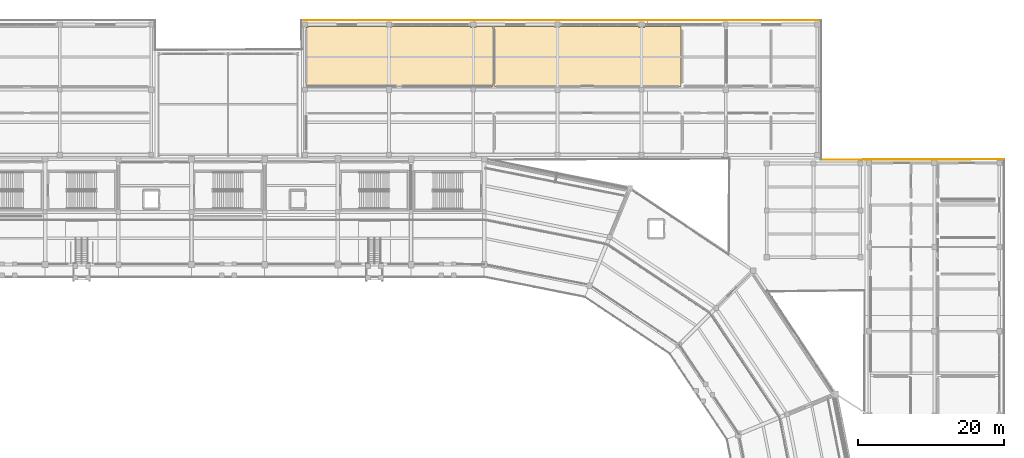
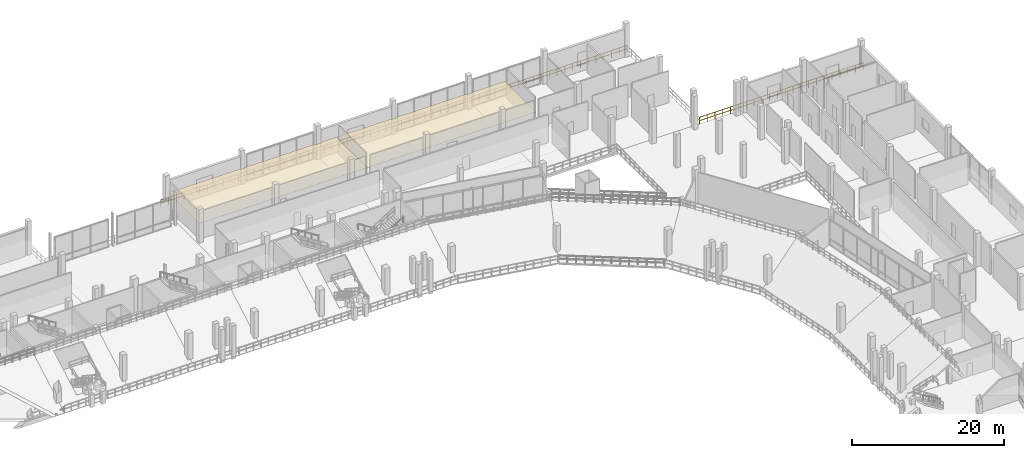
# One storey, part 127 of 127: 2 coverings, 2 railings.
"""IFC4 building model written with IfcOpenShell, lengths in metres."""

from ifc_helpers import new_model, si_unit, direction, frame, origin, origin_2d, place, context, subcontext, project, spatial, polyline, circle, outline, extrude, material, layer, layer_set, type_object, element, save


model = new_model("IFC4")

# Units and contexts
model_context = context("Model", 3, precision=1e-05, world=origin(), true_north=direction((0.0, 1.0)))
body_context = subcontext(model_context, "Body", "Model", "MODEL_VIEW")
ifc_project = project(units=[si_unit("LENGTHUNIT", "METRE"), si_unit("AREAUNIT", "SQUARE_METRE"), si_unit("VOLUMEUNIT", "CUBIC_METRE"), si_unit("PLANEANGLEUNIT", "RADIAN"), si_unit("MASSUNIT", "GRAM", prefix="KILO")], contexts=[model_context])

# Site, building, storey
site_placement = place(None, origin())
site = spatial("IfcSite", under=ifc_project, at=site_placement, CompositionType="ELEMENT")
building_placement = place(site_placement, origin())
building = spatial("IfcBuilding", under=site, at=building_placement, Name="Candeia Ridge Stadium", CompositionType="ELEMENT")
storey_placement = place(building_placement, frame((0.0, 0.0, 10.800048828125)))
storey = spatial("IfcBuildingStorey", under=building, at=storey_placement, Name="L02", CompositionType="ELEMENT", Elevation=10.800048828125)

# Coverings
ifc_material_1 = material(Name="Western Red Cedar Acoustic Slat", Category="wood")
ifc_layer_1 = layer(ifc_material_1, 0.044921875, Name="Western Red Cedar Acoustic Slat", Category="wood")
ifc_layer_set_1 = layer_set([ifc_layer_1], Name="Western Red Cedar Acoustic Slat")
covering_type = type_object("IfcCoveringType", Name="Slatted Cedar Acoustic Ceiling 45", PredefinedType="CEILING", material=ifc_layer_set_1)
covering_1_placement = place(storey_placement, frame((0.0, 0.0, 2.510009765625)))
element("IfcCovering", 1, at=covering_1_placement, inside=storey, type_object=covering_type, Name="Acoustic ceiling North Corporate Suite N01", PredefinedType="CEILING", context=body_context, shape_type="SweptSolid", body=[
    extrude(outline(polyline([(116.694091796875, 156.970703125), (116.69140625, 156.97119140625), (116.6884765625, 156.972412109375), (116.685791015625, 156.973388671875), (116.683349609375, 156.97509765625), (116.680908203125, 156.976806640625), (116.6787109375, 156.978759765625), (116.6767578125, 156.98095703125), (116.675048828125, 156.9833984375), (116.673583984375, 156.98583984375), (116.67236328125, 156.988525390625), (116.67138671875, 156.9912109375), (116.670654296875, 156.994140625), (116.670166015625, 156.9970703125), (116.669921875, 157.0), (116.669921875, 165.010009765625), (116.889892578125, 165.010009765625), (116.889892578125, 165.1298828125), (127.635009765625, 165.1298828125), (127.635009765625, 165.034912109375), (128.364990234375, 165.034912109375), (128.364990234375, 165.1298828125), (139.110107421875, 165.1298828125), (139.110107421875, 165.010009765625), (139.889892578125, 165.010009765625), (139.889892578125, 165.1298828125), (142.178955078125, 165.1298828125), (142.181884765625, 165.1298828125), (142.184814453125, 165.12939453125), (142.187744140625, 165.128662109375), (142.1904296875, 165.127685546875), (142.193115234375, 165.12646484375), (142.19580078125, 165.125), (142.197998046875, 165.123291015625), (142.2001953125, 165.12109375), (142.2021484375, 165.118896484375), (142.203857421875, 165.11669921875), (142.20556640625, 165.114013671875), (142.206787109375, 165.111572265625), (142.207763671875, 165.108642578125), (142.20849609375, 165.10595703125), (142.208984375, 165.102783203125), (142.208984375, 165.10009765625), (142.208984375, 157.0), (142.208984375, 156.9970703125), (142.20849609375, 156.994140625), (142.207763671875, 156.9912109375), (142.206787109375, 156.988525390625), (142.20556640625, 156.98583984375), (142.203857421875, 156.9833984375), (142.2021484375, 156.98095703125), (142.2001953125, 156.978759765625), (142.197998046875, 156.976806640625), (142.19580078125, 156.97509765625), (142.193115234375, 156.973388671875), (142.1904296875, 156.972412109375), (142.187744140625, 156.97119140625), (142.184814453125, 156.970703125), (142.181884765625, 156.97021484375), (142.178955078125, 156.969970703125), (116.699951171875, 156.969970703125), (116.697021484375, 156.97021484375), (116.694091796875, 156.970703125)])), origin(), (0.0, 0.0, 1.0), 0.0400390625),
])
covering_2_placement = place(storey_placement, frame((0.0, 0.0, 2.510009765625)))
element("IfcCovering", 2, at=covering_2_placement, inside=storey, type_object=covering_type, Name="Acoustic ceiling North Corporate Suite N02", PredefinedType="CEILING", context=body_context, shape_type="SweptSolid", body=[
    extrude(outline(polyline([(142.373046875, 156.970703125), (142.370361328125, 156.97119140625), (142.367431640625, 156.972412109375), (142.364990234375, 156.973388671875), (142.3623046875, 156.97509765625), (142.360107421875, 156.976806640625), (142.35791015625, 156.978759765625), (142.355712890625, 156.98095703125), (142.35400390625, 156.9833984375), (142.3525390625, 156.98583984375), (142.351318359375, 156.988525390625), (142.350341796875, 156.9912109375), (142.349609375, 156.994140625), (142.34912109375, 156.9970703125), (142.34912109375, 157.0), (142.34912109375, 165.10009765625), (142.34912109375, 165.102783203125), (142.349609375, 165.10595703125), (142.350341796875, 165.108642578125), (142.351318359375, 165.111572265625), (142.3525390625, 165.114013671875), (142.35400390625, 165.11669921875), (142.355712890625, 165.118896484375), (142.35791015625, 165.12109375), (142.360107421875, 165.123291015625), (142.3623046875, 165.125), (142.364990234375, 165.12646484375), (142.367431640625, 165.127685546875), (142.370361328125, 165.128662109375), (142.373046875, 165.12939453125), (142.376220703125, 165.1298828125), (142.37890625, 165.1298828125), (150.635009765625, 165.1298828125), (150.635009765625, 165.034912109375), (151.364990234375, 165.034912109375), (151.364990234375, 165.1298828125), (162.110107421875, 165.1298828125), (162.110107421875, 165.010009765625), (162.889892578125, 165.010009765625), (162.889892578125, 165.1298828125), (167.85791015625, 165.1298828125), (167.86083984375, 165.1298828125), (167.864013671875, 165.12939453125), (167.86669921875, 165.128662109375), (167.869384765625, 165.127685546875), (167.8720703125, 165.12646484375), (167.874755859375, 165.125), (167.876953125, 165.123291015625), (167.879150390625, 165.12109375), (167.881103515625, 165.118896484375), (167.8828125, 165.11669921875), (167.884521484375, 165.114013671875), (167.8857421875, 165.111572265625), (167.88671875, 165.108642578125), (167.887451171875, 165.10595703125), (167.887939453125, 165.102783203125), (167.887939453125, 165.10009765625), (167.887939453125, 157.0), (167.887939453125, 156.9970703125), (167.887451171875, 156.994140625), (167.88671875, 156.9912109375), (167.8857421875, 156.988525390625), (167.884521484375, 156.98583984375), (167.8828125, 156.9833984375), (167.881103515625, 156.98095703125), (167.879150390625, 156.978759765625), (167.876953125, 156.976806640625), (167.874755859375, 156.97509765625), (167.8720703125, 156.973388671875), (167.869384765625, 156.972412109375), (167.86669921875, 156.97119140625), (167.864013671875, 156.970703125), (167.86083984375, 156.97021484375), (167.85791015625, 156.969970703125), (142.37890625, 156.969970703125), (142.376220703125, 156.97021484375), (142.373046875, 156.970703125)])), origin(), (0.0, 0.0, 1.0), 0.0400390625),
])

# Railings
ifc_material_2 = material(Name="Galvanized Powder-Coated Steel", Category="steel")
ifc_layer_2 = layer(ifc_material_2, 0.074951171875, Name="Galvanized Powder-Coated Steel", Category="steel")
ifc_layer_set_2 = layer_set([ifc_layer_2], Name="Galvanized Powder-Coated Steel")
railing_type = type_object("IfcRailingType", Name="Spectator Bowl Front Guardrail 1120", PredefinedType="GUARDRAIL", material=ifc_layer_set_2)
railing_1_placement = place(storey_placement, frame((116.0, 166.0, 0.0)))
element("IfcRailing", 3, at=railing_1_placement, inside=storey, type_object=railing_type, Name="Deck edge safety guardrail GR-DE-L02-0060", PredefinedType="GUARDRAIL", context=body_context, shape_type="SweptSolid", body=[
    extrude(circle(Radius=0.02392578125, at=origin_2d()), frame((0.0, 0.0, 1.09619140625), z_axis=(1.0, 0.0, 0.0), x_axis=(0.0, 1.0, 0.0)), (0.0, 0.0, 1.0), 71.0),
    extrude(circle(Radius=0.02392578125, at=origin_2d()), frame((0.0, 0.0, 0.56005859375), z_axis=(1.0, 0.0, 0.0), x_axis=(0.0, 1.0, 0.0)), (0.0, 0.0, 1.0), 71.0),
    extrude(circle(Radius=0.02099609375, at=origin_2d()), origin(), (0.0, 0.0, 1.0), 1.072021484375),
    extrude(circle(Radius=0.02099609375, at=origin_2d()), frame((1.183349609375, 0.0, 0.0)), (0.0, 0.0, 1.0), 1.072021484375),
    extrude(circle(Radius=0.02099609375, at=origin_2d()), frame((2.36669921875, 0.0, 0.0)), (0.0, 0.0, 1.0), 1.072021484375),
    extrude(circle(Radius=0.02099609375, at=origin_2d()), frame((3.550048828125, 0.0, 0.0)), (0.0, 0.0, 1.0), 1.072021484375),
    extrude(circle(Radius=0.02099609375, at=origin_2d()), frame((4.7333984375, 0.0, 0.0)), (0.0, 0.0, 1.0), 1.072021484375),
    extrude(circle(Radius=0.02099609375, at=origin_2d()), frame((5.916748046875, 0.0, 0.0)), (0.0, 0.0, 1.0), 1.072021484375),
    extrude(circle(Radius=0.02099609375, at=origin_2d()), frame((7.10009765625, 0.0, 0.0)), (0.0, 0.0, 1.0), 1.072021484375),
    extrude(circle(Radius=0.02099609375, at=origin_2d()), frame((8.283447265625, 0.0, 0.0)), (0.0, 0.0, 1.0), 1.072021484375),
    extrude(circle(Radius=0.02099609375, at=origin_2d()), frame((9.466552734375, 0.0, 0.0)), (0.0, 0.0, 1.0), 1.072021484375),
    extrude(circle(Radius=0.02099609375, at=origin_2d()), frame((10.64990234375, 0.0, 0.0)), (0.0, 0.0, 1.0), 1.072021484375),
    extrude(circle(Radius=0.02099609375, at=origin_2d()), frame((11.833251953125, 0.0, 0.0)), (0.0, 0.0, 1.0), 1.072021484375),
    extrude(circle(Radius=0.02099609375, at=origin_2d()), frame((13.0166015625, 0.0, 0.0)), (0.0, 0.0, 1.0), 1.072021484375),
    extrude(circle(Radius=0.02099609375, at=origin_2d()), frame((14.199951171875, 0.0, 0.0)), (0.0, 0.0, 1.0), 1.072021484375),
    extrude(circle(Radius=0.02099609375, at=origin_2d()), frame((15.38330078125, 0.0, 0.0)), (0.0, 0.0, 1.0), 1.072021484375),
    extrude(circle(Radius=0.02099609375, at=origin_2d()), frame((16.566650390625, 0.0, 0.0)), (0.0, 0.0, 1.0), 1.072021484375),
    extrude(circle(Radius=0.02099609375, at=origin_2d()), frame((17.75, 0.0, 0.0)), (0.0, 0.0, 1.0), 1.072021484375),
    extrude(circle(Radius=0.02099609375, at=origin_2d()), frame((18.933349609375, 0.0, 0.0)), (0.0, 0.0, 1.0), 1.072021484375),
    extrude(circle(Radius=0.02099609375, at=origin_2d()), frame((20.11669921875, 0.0, 0.0)), (0.0, 0.0, 1.0), 1.072021484375),
    extrude(circle(Radius=0.02099609375, at=origin_2d()), frame((21.300048828125, 0.0, 0.0)), (0.0, 0.0, 1.0), 1.072021484375),
    extrude(circle(Radius=0.02099609375, at=origin_2d()), frame((22.4833984375, 0.0, 0.0)), (0.0, 0.0, 1.0), 1.072021484375),
    extrude(circle(Radius=0.02099609375, at=origin_2d()), frame((23.666748046875, 0.0, 0.0)), (0.0, 0.0, 1.0), 1.072021484375),
    extrude(circle(Radius=0.02099609375, at=origin_2d()), frame((24.85009765625, 0.0, 0.0)), (0.0, 0.0, 1.0), 1.072021484375),
    extrude(circle(Radius=0.02099609375, at=origin_2d()), frame((26.033447265625, 0.0, 0.0)), (0.0, 0.0, 1.0), 1.072021484375),
    extrude(circle(Radius=0.02099609375, at=origin_2d()), frame((27.216552734375, 0.0, 0.0)), (0.0, 0.0, 1.0), 1.072021484375),
    extrude(circle(Radius=0.02099609375, at=origin_2d()), frame((28.39990234375, 0.0, 0.0)), (0.0, 0.0, 1.0), 1.072021484375),
    extrude(circle(Radius=0.02099609375, at=origin_2d()), frame((29.583251953125, 0.0, 0.0)), (0.0, 0.0, 1.0), 1.072021484375),
    extrude(circle(Radius=0.02099609375, at=origin_2d()), frame((30.7666015625, 0.0, 0.0)), (0.0, 0.0, 1.0), 1.072021484375),
    extrude(circle(Radius=0.02099609375, at=origin_2d()), frame((31.949951171875, 0.0, 0.0)), (0.0, 0.0, 1.0), 1.072021484375),
    extrude(circle(Radius=0.02099609375, at=origin_2d()), frame((33.13330078125, 0.0, 0.0)), (0.0, 0.0, 1.0), 1.072021484375),
    extrude(circle(Radius=0.02099609375, at=origin_2d()), frame((34.316650390625, 0.0, 0.0)), (0.0, 0.0, 1.0), 1.072021484375),
    extrude(circle(Radius=0.02099609375, at=origin_2d()), frame((35.5, 0.0, 0.0)), (0.0, 0.0, 1.0), 1.072021484375),
    extrude(circle(Radius=0.02099609375, at=origin_2d()), frame((36.683349609375, 0.0, 0.0)), (0.0, 0.0, 1.0), 1.072021484375),
    extrude(circle(Radius=0.02099609375, at=origin_2d()), frame((37.86669921875, 0.0, 0.0)), (0.0, 0.0, 1.0), 1.072021484375),
    extrude(circle(Radius=0.02099609375, at=origin_2d()), frame((39.050048828125, 0.0, 0.0)), (0.0, 0.0, 1.0), 1.072021484375),
    extrude(circle(Radius=0.02099609375, at=origin_2d()), frame((40.2333984375, 0.0, 0.0)), (0.0, 0.0, 1.0), 1.072021484375),
    extrude(circle(Radius=0.02099609375, at=origin_2d()), frame((41.416748046875, 0.0, 0.0)), (0.0, 0.0, 1.0), 1.072021484375),
    extrude(circle(Radius=0.02099609375, at=origin_2d()), frame((42.60009765625, 0.0, 0.0)), (0.0, 0.0, 1.0), 1.072021484375),
    extrude(circle(Radius=0.02099609375, at=origin_2d()), frame((43.783447265625, 0.0, 0.0)), (0.0, 0.0, 1.0), 1.072021484375),
    extrude(circle(Radius=0.02099609375, at=origin_2d()), frame((44.966552734375, 0.0, 0.0)), (0.0, 0.0, 1.0), 1.072021484375),
    extrude(circle(Radius=0.02099609375, at=origin_2d()), frame((46.14990234375, 0.0, 0.0)), (0.0, 0.0, 1.0), 1.072021484375),
    extrude(circle(Radius=0.02099609375, at=origin_2d()), frame((47.333251953125, 0.0, 0.0)), (0.0, 0.0, 1.0), 1.072021484375),
    extrude(circle(Radius=0.02099609375, at=origin_2d()), frame((48.5166015625, 0.0, 0.0)), (0.0, 0.0, 1.0), 1.072021484375),
    extrude(circle(Radius=0.02099609375, at=origin_2d()), frame((49.699951171875, 0.0, 0.0)), (0.0, 0.0, 1.0), 1.072021484375),
    extrude(circle(Radius=0.02099609375, at=origin_2d()), frame((50.88330078125, 0.0, 0.0)), (0.0, 0.0, 1.0), 1.072021484375),
    extrude(circle(Radius=0.02099609375, at=origin_2d()), frame((52.066650390625, 0.0, 0.0)), (0.0, 0.0, 1.0), 1.072021484375),
    extrude(circle(Radius=0.02099609375, at=origin_2d()), frame((53.25, 0.0, 0.0)), (0.0, 0.0, 1.0), 1.072021484375),
    extrude(circle(Radius=0.02099609375, at=origin_2d()), frame((54.433349609375, 0.0, 0.0)), (0.0, 0.0, 1.0), 1.072021484375),
    extrude(circle(Radius=0.02099609375, at=origin_2d()), frame((55.61669921875, 0.0, 0.0)), (0.0, 0.0, 1.0), 1.072021484375),
    extrude(circle(Radius=0.02099609375, at=origin_2d()), frame((56.800048828125, 0.0, 0.0)), (0.0, 0.0, 1.0), 1.072021484375),
    extrude(circle(Radius=0.02099609375, at=origin_2d()), frame((57.9833984375, 0.0, 0.0)), (0.0, 0.0, 1.0), 1.072021484375),
    extrude(circle(Radius=0.02099609375, at=origin_2d()), frame((59.166748046875, 0.0, 0.0)), (0.0, 0.0, 1.0), 1.072021484375),
    extrude(circle(Radius=0.02099609375, at=origin_2d()), frame((60.35009765625, 0.0, 0.0)), (0.0, 0.0, 1.0), 1.072021484375),
    extrude(circle(Radius=0.02099609375, at=origin_2d()), frame((61.533447265625, 0.0, 0.0)), (0.0, 0.0, 1.0), 1.072021484375),
    extrude(circle(Radius=0.02099609375, at=origin_2d()), frame((62.716552734375, 0.0, 0.0)), (0.0, 0.0, 1.0), 1.072021484375),
    extrude(circle(Radius=0.02099609375, at=origin_2d()), frame((63.89990234375, 0.0, 0.0)), (0.0, 0.0, 1.0), 1.072021484375),
    extrude(circle(Radius=0.02099609375, at=origin_2d()), frame((65.083251953125, 0.0, 0.0)), (0.0, 0.0, 1.0), 1.072021484375),
    extrude(circle(Radius=0.02099609375, at=origin_2d()), frame((66.2666015625, 0.0, 0.0)), (0.0, 0.0, 1.0), 1.072021484375),
    extrude(circle(Radius=0.02099609375, at=origin_2d()), frame((67.449951171875, 0.0, 0.0)), (0.0, 0.0, 1.0), 1.072021484375),
    extrude(circle(Radius=0.02099609375, at=origin_2d()), frame((68.63330078125, 0.0, 0.0)), (0.0, 0.0, 1.0), 1.072021484375),
    extrude(circle(Radius=0.02099609375, at=origin_2d()), frame((69.816650390625, 0.0, 0.0)), (0.0, 0.0, 1.0), 1.072021484375),
    extrude(circle(Radius=0.02099609375, at=origin_2d()), frame((71.0, 0.0, 0.0)), (0.0, 0.0, 1.0), 1.072021484375),
])
railing_2_placement = place(storey_placement, frame((187.0, 146.919921875, 0.0)))
element("IfcRailing", 4, at=railing_2_placement, inside=storey, type_object=railing_type, Name="Deck edge safety guardrail GR-DE-L02-0062", PredefinedType="GUARDRAIL", context=body_context, shape_type="SweptSolid", body=[
    extrude(circle(Radius=0.02392578125, at=origin_2d()), frame((0.0, 0.0, 1.09619140625), z_axis=(0.999994870035, 0.003203108568, 0.0), x_axis=(-0.003203108568, 0.999994870035, 0.0)), (0.0, 0.0, 1.0), 25.000244140625),
    extrude(circle(Radius=0.02392578125, at=origin_2d()), frame((0.0, 0.0, 0.56005859375), z_axis=(0.999994870035, 0.003203108568, 0.0), x_axis=(-0.003203108568, 0.999994870035, 0.0)), (0.0, 0.0, 1.0), 25.000244140625),
    extrude(circle(Radius=0.02099609375, at=origin_2d()), origin(), (0.0, 0.0, 1.0), 1.072021484375),
    extrude(circle(Radius=0.02099609375, at=origin_2d()), frame((1.1904296875, 0.00390625, 0.0)), (0.0, 0.0, 1.0), 1.072021484375),
    extrude(circle(Radius=0.02099609375, at=origin_2d()), frame((2.380859375, 0.007568359375, 0.0)), (0.0, 0.0, 1.0), 1.072021484375),
    extrude(circle(Radius=0.02099609375, at=origin_2d()), frame((3.571533203125, 0.011474609375, 0.0)), (0.0, 0.0, 1.0), 1.072021484375),
    extrude(circle(Radius=0.02099609375, at=origin_2d()), frame((4.761962890625, 0.01513671875, 0.0)), (0.0, 0.0, 1.0), 1.072021484375),
    extrude(circle(Radius=0.02099609375, at=origin_2d()), frame((5.952392578125, 0.01904296875, 0.0)), (0.0, 0.0, 1.0), 1.072021484375),
    extrude(circle(Radius=0.02099609375, at=origin_2d()), frame((7.142822265625, 0.02294921875, 0.0)), (0.0, 0.0, 1.0), 1.072021484375),
    extrude(circle(Radius=0.02099609375, at=origin_2d()), frame((8.333251953125, 0.026611328125, 0.0)), (0.0, 0.0, 1.0), 1.072021484375),
    extrude(circle(Radius=0.02099609375, at=origin_2d()), frame((9.52392578125, 0.030517578125, 0.0)), (0.0, 0.0, 1.0), 1.072021484375),
    extrude(circle(Radius=0.02099609375, at=origin_2d()), frame((10.71435546875, 0.034423828125, 0.0)), (0.0, 0.0, 1.0), 1.072021484375),
    extrude(circle(Radius=0.02099609375, at=origin_2d()), frame((11.90478515625, 0.0380859375, 0.0)), (0.0, 0.0, 1.0), 1.072021484375),
    extrude(circle(Radius=0.02099609375, at=origin_2d()), frame((13.09521484375, 0.0419921875, 0.0)), (0.0, 0.0, 1.0), 1.072021484375),
    extrude(circle(Radius=0.02099609375, at=origin_2d()), frame((14.28564453125, 0.045654296875, 0.0)), (0.0, 0.0, 1.0), 1.072021484375),
    extrude(circle(Radius=0.02099609375, at=origin_2d()), frame((15.47607421875, 0.049560546875, 0.0)), (0.0, 0.0, 1.0), 1.072021484375),
    extrude(circle(Radius=0.02099609375, at=origin_2d()), frame((16.666748046875, 0.053466796875, 0.0)), (0.0, 0.0, 1.0), 1.072021484375),
    extrude(circle(Radius=0.02099609375, at=origin_2d()), frame((17.857177734375, 0.05712890625, 0.0)), (0.0, 0.0, 1.0), 1.072021484375),
    extrude(circle(Radius=0.02099609375, at=origin_2d()), frame((19.047607421875, 0.06103515625, 0.0)), (0.0, 0.0, 1.0), 1.072021484375),
    extrude(circle(Radius=0.02099609375, at=origin_2d()), frame((20.238037109375, 0.06494140625, 0.0)), (0.0, 0.0, 1.0), 1.072021484375),
    extrude(circle(Radius=0.02099609375, at=origin_2d()), frame((21.428466796875, 0.068603515625, 0.0)), (0.0, 0.0, 1.0), 1.072021484375),
    extrude(circle(Radius=0.02099609375, at=origin_2d()), frame((22.619140625, 0.072509765625, 0.0)), (0.0, 0.0, 1.0), 1.072021484375),
    extrude(circle(Radius=0.02099609375, at=origin_2d()), frame((23.8095703125, 0.076171875, 0.0)), (0.0, 0.0, 1.0), 1.072021484375),
    extrude(circle(Radius=0.02099609375, at=origin_2d()), frame((25.0, 0.080078125, 0.0)), (0.0, 0.0, 1.0), 1.072021484375),
])

save(model, "model.ifc")
